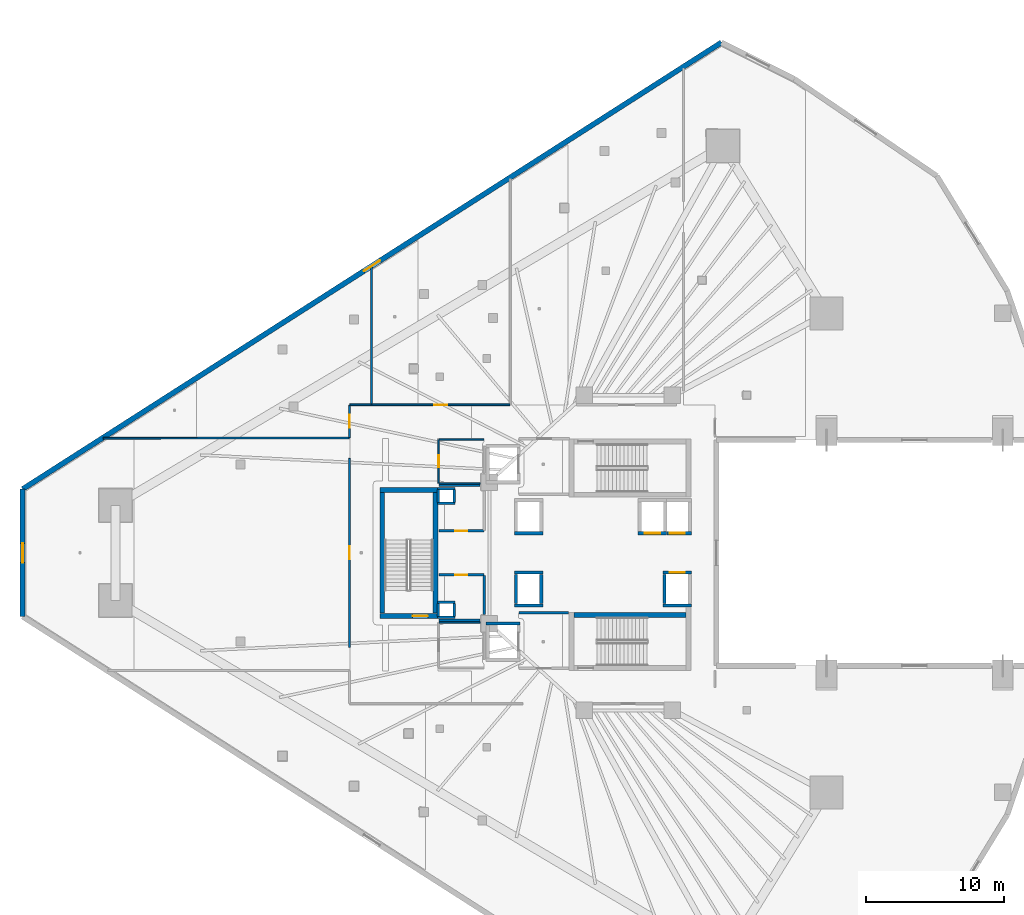
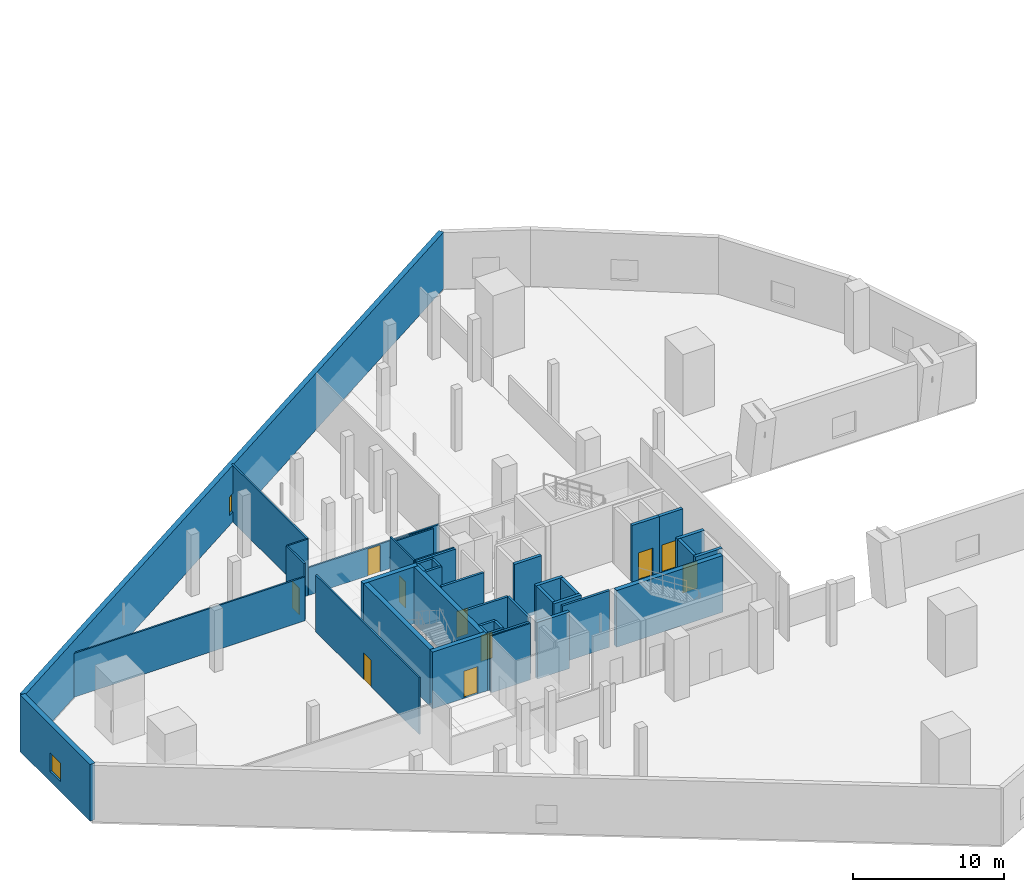
# One storey, part 29 of 43: 42 walls, 10 doors, 2 windows, 12 openings.
"""IFC4 building model written with IfcOpenShell, lengths in metres."""

from ifc_helpers import new_model, si_unit, direction, frame, frame_2d, origin, place, context, subcontext, project, spatial, rectangle, extrude, material, layer, layer_set, type_object, element, fill, save


model = new_model("IFC4")

# Units and contexts
model_context = context("Model", 3, precision=1e-05, world=origin(), true_north=direction((0.0, 1.0)))
body_context = subcontext(model_context, "Body", "Model", "MODEL_VIEW")
ifc_project = project(units=[si_unit("LENGTHUNIT", "METRE"), si_unit("AREAUNIT", "SQUARE_METRE"), si_unit("VOLUMEUNIT", "CUBIC_METRE"), si_unit("PLANEANGLEUNIT", "RADIAN"), si_unit("MASSUNIT", "GRAM", prefix="KILO")], contexts=[model_context])

# Site, building, storey
site_placement = place(None, origin())
site = spatial("IfcSite", under=ifc_project, at=site_placement, CompositionType="ELEMENT")
building_placement = place(site_placement, origin())
building = spatial("IfcBuilding", under=site, at=building_placement, Name="Qorvath Tower", CompositionType="ELEMENT")
storey_placement = place(building_placement, frame((0.0, 0.0, 22.0)))
storey = spatial("IfcBuildingStorey", under=building, at=storey_placement, Name="L04", CompositionType="ELEMENT", Elevation=22.0)

# Walls
ifc_material_1 = material(Name="Gypsum shaftliner on steel studs", Category="steel")
ifc_layer_1 = layer(ifc_material_1, 0.179931640625)
ifc_layer_set_1 = layer_set([ifc_layer_1], Name="FW-LOBBY")
wall_type_1 = type_object("IfcWallType", Name="FW-LOBBY", PredefinedType="PARTITIONING", material=ifc_layer_set_1)
for number, where, z_axis, x_axis, name in (
    (1, (-32.989990234375, 3.594970703125, 0.0), (0.0, 0.0, 1.0), (-1.0, 0.0, 0.0), "MEP Riser Shaft Enclosure Wall N-L04-S"),
    (2, (-34.260009765625, 4.675048828125, 0.0), (0.0, 0.0, 1.0), (1.0, 0.0, 0.0), "MEP Riser Shaft Enclosure Wall N-L04-N"),
):
    element("IfcWall", number, at=place(storey_placement, frame(where, z_axis=z_axis, x_axis=x_axis)), inside=storey, type_object=wall_type_1, Name=name, PredefinedType="PARTITIONING", context=body_context, shape_type="SweptSolid", body=[
        extrude(rectangle(XDim=1.27001953125, YDim=0.179931640625, at=frame_2d((0.635009765625, 0.0))), origin(), (0.0, 0.0, 1.0), 4.580078125),
    ])
for number, where, z_axis, x_axis, name in (
    (3, (-34.205078125, 3.659912109375, 0.0), (0.0, 0.0, 1.0), (0.0, 1.0, 0.0), "MEP Riser Shaft Enclosure Wall N-L04-W"),
    (4, (-33.044921875, 4.610107421875, 0.0), (0.0, 0.0, 1.0), (0.0, -1.0, 0.0), "MEP Riser Shaft Enclosure Wall N-L04-E"),
):
    element("IfcWall", number, at=place(storey_placement, frame(where, z_axis=z_axis, x_axis=x_axis)), inside=storey, type_object=wall_type_1, Name=name, PredefinedType="PARTITIONING", context=body_context, shape_type="SweptSolid", body=[
        extrude(rectangle(XDim=0.9501953125, YDim=0.179931640625, at=frame_2d((0.47509765625, 0.0))), origin(), (0.0, 0.0, 1.0), 4.580078125),
    ])
for number, where, z_axis, x_axis, name in (
    (5, (-32.989990234375, -4.675048828125, 0.0), (0.0, 0.0, 1.0), (-1.0, 0.0, 0.0), "MEP Riser Shaft Enclosure Wall S-L04-S"),
    (6, (-34.260009765625, -3.594970703125, 0.0), (0.0, 0.0, 1.0), (1.0, 0.0, 0.0), "MEP Riser Shaft Enclosure Wall S-L04-N"),
):
    element("IfcWall", number, at=place(storey_placement, frame(where, z_axis=z_axis, x_axis=x_axis)), inside=storey, type_object=wall_type_1, Name=name, PredefinedType="PARTITIONING", context=body_context, shape_type="SweptSolid", body=[
        extrude(rectangle(XDim=1.27001953125, YDim=0.179931640625, at=frame_2d((0.635009765625, 0.0))), origin(), (0.0, 0.0, 1.0), 4.580078125),
    ])
for number, where, z_axis, x_axis, name in (
    (7, (-34.205078125, -4.610107421875, 0.0), (0.0, 0.0, 1.0), (0.0, 1.0, 0.0), "MEP Riser Shaft Enclosure Wall S-L04-W"),
    (8, (-33.044921875, -3.659912109375, 0.0), (0.0, 0.0, 1.0), (0.0, -1.0, 0.0), "MEP Riser Shaft Enclosure Wall S-L04-E"),
):
    element("IfcWall", number, at=place(storey_placement, frame(where, z_axis=z_axis, x_axis=x_axis)), inside=storey, type_object=wall_type_1, Name=name, PredefinedType="PARTITIONING", context=body_context, shape_type="SweptSolid", body=[
        extrude(rectangle(XDim=0.9501953125, YDim=0.179931640625, at=frame_2d((0.47509765625, 0.0))), origin(), (0.0, 0.0, 1.0), 4.580078125),
    ])
wall_1_placement = place(storey_placement, frame((-24.73291015625, -4.35009765625, 0.0), z_axis=(0.0, 0.0, 1.0), x_axis=(-1.0, 0.0, 0.0)))
element("IfcWall", 9, at=wall_1_placement, inside=storey, type_object=wall_type_1, Name="Interior Partition IW-T1-L04-004", PredefinedType="PARTITIONING", context=body_context, shape_type="SweptSolid", body=[
    extrude(rectangle(XDim=3.6220703125, YDim=0.179931640625, at=frame_2d((1.81103515625, 0.0))), origin(), (0.0, 0.0, 1.0), 4.580078125),
])

# Wall, opening, door
wall_2_placement = place(storey_placement, frame((-34.15478515625, 1.60009765625, 0.0), z_axis=(0.0, 0.0, 1.0), x_axis=(1.0, 0.0, 0.0)))
wall_2 = element("IfcWall", 10, at=wall_2_placement, inside=storey, type_object=wall_type_1, Name="Interior Partition IW-T1-L04-013", PredefinedType="PARTITIONING", context=body_context, shape_type="SweptSolid", body=[
    extrude(rectangle(XDim=3.25, YDim=0.179931640625, at=frame_2d((1.625, 0.0))), origin(), (0.0, 0.0, 1.0), 4.580078125),
])
opening_1_placement = place(wall_2_placement, frame((1.18505859375, 0.0, 0.0)))
opening_1 = element("IfcOpeningElement", 11, at=opening_1_placement, cuts=wall_2, Name="Opening D-T1-L04-03", PredefinedType="OPENING", context=body_context, shape_type="SweptSolid", body=[
    extrude(rectangle(XDim=0.8798828125, YDim=2.10009765625, at=frame_2d((0.43994140625, 1.050048828125))), frame((0.0, 0.10009765625, 0.0), z_axis=(0.0, -1.0, 0.0), x_axis=(1.0, 0.0, 0.0)), (0.0, 0.0, 1.0), 0.199951171875),
])
ifc_material_2 = material(Name="Painted galvanised hollow metal", Category="steel")
door_type_1 = type_object("IfcDoorType", Name="FD-60N", OperationType="NOTDEFINED", PredefinedType="DOOR", material=ifc_material_2)
door_1_placement = place(opening_1_placement, origin())
door_1 = element("IfcDoor", 12, at=door_1_placement, inside=storey, type_object=door_type_1, Name="Core cleaner and custodial room L04 Door D-T1-L04-03", OperationType="SINGLE_SWING_LEFT", OverallHeight=2.10009765625, OverallWidth=0.8798828125, PredefinedType="DOOR", context=body_context, shape_type="SweptSolid", body=[
    extrude(rectangle(XDim=0.8798828125, YDim=2.10009765625, at=frame_2d((0.43994140625, 1.050048828125))), frame((0.0, 0.02490234375, 0.0), z_axis=(0.0, -1.0, 0.0), x_axis=(1.0, 0.0, 0.0)), (0.0, 0.0, 1.0), 0.050048828125),
])
fill(opening_1, door_1)

# Walls
for number, where, z_axis, x_axis, name in (
    (13, (-31.1650390625, 4.89990234375, 0.0), (0.0, 0.0, 1.0), (-1.0, 0.0, 0.0), "Interior Partition IW-T1-L04-015"),
    (14, (-34.15478515625, -4.89990234375, 0.0), (0.0, 0.0, 1.0), (1.0, 0.0, 0.0), "Interior Partition IW-T1-L04-016"),
):
    element("IfcWall", number, at=place(storey_placement, frame(where, z_axis=z_axis, x_axis=x_axis)), inside=storey, type_object=wall_type_1, Name=name, PredefinedType="PARTITIONING", context=body_context, shape_type="SweptSolid", body=[
        extrude(rectangle(XDim=2.98974609375, YDim=0.179931640625, at=frame_2d((1.494873046875, 0.0))), origin(), (0.0, 0.0, 1.0), 4.580078125),
    ])
wall_3_placement = place(storey_placement, frame((-30.8798828125, -4.485107421875, 0.0), z_axis=(0.0, 0.0, 1.0), x_axis=(0.0, 1.0, 0.0)))
element("IfcWall", 15, at=wall_3_placement, inside=storey, type_object=wall_type_1, Name="Interior Partition IW-T1-L04-017", PredefinedType="PARTITIONING", context=body_context, shape_type="SweptSolid", body=[
    extrude(rectangle(XDim=2.860107421875, YDim=0.179931640625, at=frame_2d((1.43017578125, 0.0))), origin(), (0.0, 0.0, 1.0), 4.580078125),
])

# Wall, opening, door
wall_4_placement = place(storey_placement, frame((-30.90478515625, -1.60009765625, 0.0), z_axis=(0.0, 0.0, 1.0), x_axis=(-1.0, 0.0, 0.0)))
wall_4 = element("IfcWall", 16, at=wall_4_placement, inside=storey, type_object=wall_type_1, Name="Interior Partition IW-T1-L04-018", PredefinedType="PARTITIONING", context=body_context, shape_type="SweptSolid", body=[
    extrude(rectangle(XDim=3.25, YDim=0.179931640625, at=frame_2d((1.625, 0.0))), origin(), (0.0, 0.0, 1.0), 4.580078125),
])
opening_2_placement = place(wall_4_placement, frame((1.18505859375, 0.0, 0.0)))
opening_2 = element("IfcOpeningElement", 17, at=opening_2_placement, cuts=wall_4, Name="Opening D-T1-L04-04", PredefinedType="OPENING", context=body_context, shape_type="SweptSolid", body=[
    extrude(rectangle(XDim=0.8798828125, YDim=2.10009765625, at=frame_2d((0.43994140625, 1.050048828125))), frame((0.0, 0.10009765625, 0.0), z_axis=(0.0, -1.0, 0.0), x_axis=(1.0, 0.0, 0.0)), (0.0, 0.0, 1.0), 0.199951171875),
])
door_2_placement = place(opening_2_placement, origin())
door_2 = element("IfcDoor", 18, at=door_2_placement, inside=storey, type_object=door_type_1, Name="Core electrical room L04 Door D-T1-L04-04", OperationType="SINGLE_SWING_RIGHT", OverallHeight=2.10009765625, OverallWidth=0.8798828125, PredefinedType="DOOR", context=body_context, shape_type="SweptSolid", body=[
    extrude(rectangle(XDim=0.8798828125, YDim=2.10009765625, at=frame_2d((0.43994140625, 1.050048828125))), frame((0.0, 0.02490234375, 0.0), z_axis=(0.0, -1.0, 0.0), x_axis=(1.0, 0.0, 0.0)), (0.0, 0.0, 1.0), 0.050048828125),
])
fill(opening_2, door_2)

ifc_material_3 = material(Name="Gypsum board on metal studs with mineral wool", Category="gypsum")
ifc_layer_2 = layer(ifc_material_3, 0.125)
ifc_layer_set_2 = layer_set([ifc_layer_2], Name="IW-PART-125")
wall_type_2 = type_object("IfcWallType", Name="IW-PART-125", PredefinedType="PARTITIONING", material=ifc_layer_set_2)
wall_5_placement = place(storey_placement, frame((-40.657958984375, 8.375, 0.0), z_axis=(0.0, 0.0, 1.0), x_axis=(0.0, 1.0, 0.0)))
wall_5 = element("IfcWall", 19, at=wall_5_placement, inside=storey, type_object=wall_type_2, Name="Interior Partition IW-T1-L04-019", PredefinedType="PARTITIONING", context=body_context, shape_type="SweptSolid", body=[
    extrude(rectangle(XDim=2.358154296875, YDim=0.125, at=frame_2d((1.17919921875, 0.0))), origin(), (0.0, 0.0, 1.0), 4.580078125),
])
opening_3_placement = place(wall_5_placement, frame((0.7041015625, 0.0, 0.0)))
opening_3 = element("IfcOpeningElement", 20, at=opening_3_placement, cuts=wall_5, Name="Opening D-T1-L04-05", PredefinedType="OPENING", context=body_context, shape_type="SweptSolid", body=[
    extrude(rectangle(XDim=0.949951171875, YDim=2.14990234375, at=frame_2d((0.47509765625, 1.074951171875))), frame((0.0, 0.072509765625, 0.0), z_axis=(0.0, -1.0, 0.0), x_axis=(1.0, 0.0, 0.0)), (0.0, 0.0, 1.0), 0.14501953125),
])
ifc_material_4 = material(Name="Solid-core American white oak veneer", Category="wood")
door_type_2 = type_object("IfcDoorType", Name="D-01", OperationType="NOTDEFINED", PredefinedType="DOOR", material=ifc_material_4)
door_3_placement = place(opening_3_placement, origin())
door_3 = element("IfcDoor", 21, at=door_3_placement, inside=storey, type_object=door_type_2, Name="L04-01 Focus Collaboration Pod Door D-T1-L04-05", OperationType="SINGLE_SWING_LEFT", OverallHeight=2.14990234375, OverallWidth=0.949951171875, PredefinedType="DOOR", context=body_context, shape_type="SweptSolid", body=[
    extrude(rectangle(XDim=0.949951171875, YDim=2.14990234375, at=frame_2d((0.47509765625, 1.074951171875))), frame((0.0, 0.02490234375, 0.0), z_axis=(0.0, -1.0, 0.0), x_axis=(1.0, 0.0, 0.0)), (0.0, 0.0, 1.0), 0.050048828125),
])
fill(opening_3, door_3)

# Walls
wall_6_placement = place(storey_placement, frame((-40.633056640625, 10.758056640625, 0.0), z_axis=(0.0, 0.0, 1.0), x_axis=(1.0, 0.0, 0.0)))
element("IfcWall", 22, at=wall_6_placement, inside=storey, type_object=wall_type_2, Name="Interior Partition IW-T1-L04-020", PredefinedType="PARTITIONING", context=body_context, shape_type="SweptSolid", body=[
    extrude(rectangle(XDim=1.5390625, YDim=0.125, at=frame_2d((0.76953125, 0.0))), origin(), (0.0, 0.0, 1.0), 4.580078125),
])
wall_7_placement = place(storey_placement, frame((-39.069091796875, 10.783203125, 0.0), z_axis=(0.0, 0.0, 1.0), x_axis=(0.0, 1.0, 0.0)))
element("IfcWall", 23, at=wall_7_placement, inside=storey, type_object=wall_type_2, Name="Interior Partition IW-T1-L04-021", PredefinedType="PARTITIONING", context=body_context, shape_type="SweptSolid", body=[
    extrude(rectangle(XDim=9.9755859375, YDim=0.125, at=frame_2d((4.98779296875, 0.0))), origin(), (0.0, 0.0, 1.0), 4.580078125),
])
wall_8_placement = place(storey_placement, frame((-58.55224609375, 8.33544921875, 0.0), z_axis=(0.0, 0.0, 1.0), x_axis=(0.999999663996, 0.000819761447, 0.0)))
element("IfcWall", 24, at=wall_8_placement, inside=storey, type_object=wall_type_2, Name="Interior Partition IW-T1-L04-022", PredefinedType="PARTITIONING", context=body_context, shape_type="SweptSolid", body=[
    extrude(rectangle(XDim=17.869140625, YDim=0.125, at=frame_2d((8.9345703125, 0.0))), origin(), (0.0, 0.0, 1.0), 3.550048828125),
])

# Wall, opening, door
wall_9_placement = place(storey_placement, frame((-39.035888671875, 10.758056640625, 0.0), z_axis=(0.0, 0.0, 1.0), x_axis=(1.0, 0.0, 0.0)))
wall_9 = element("IfcWall", 25, at=wall_9_placement, inside=storey, type_object=wall_type_2, Name="Interior Partition IW-T1-L04-023", PredefinedType="PARTITIONING", context=body_context, shape_type="SweptSolid", body=[
    extrude(rectangle(XDim=10.029541015625, YDim=0.125, at=frame_2d((5.0146484375, 0.0))), origin(), (0.0, 0.0, 1.0), 2.25),
])
opening_4_placement = place(wall_9_placement, frame((4.539794921875, 0.0, 0.0)))
opening_4 = element("IfcOpeningElement", 26, at=opening_4_placement, cuts=wall_9, Name="Opening D-T1-L04-06", PredefinedType="OPENING", context=body_context, shape_type="SweptSolid", body=[
    extrude(rectangle(XDim=0.949951171875, YDim=2.14990234375, at=frame_2d((0.47509765625, 1.074951171875))), frame((0.0, 0.072509765625, 0.0), z_axis=(0.0, -1.0, 0.0), x_axis=(1.0, 0.0, 0.0)), (0.0, 0.0, 1.0), 0.14501953125),
])
door_4_placement = place(opening_4_placement, origin())
door_4 = element("IfcDoor", 27, at=door_4_placement, inside=storey, type_object=door_type_2, Name="L04-02 Staff Refreshment Pantry and Coffee Bar Door D-T1-L04-06", OperationType="SINGLE_SWING_RIGHT", OverallHeight=2.14990234375, OverallWidth=0.949951171875, PredefinedType="DOOR", context=body_context, shape_type="SweptSolid", body=[
    extrude(rectangle(XDim=0.949951171875, YDim=2.14990234375, at=frame_2d((0.47509765625, 1.074951171875))), frame((0.0, 0.02490234375, 0.0), z_axis=(0.0, -1.0, 0.0), x_axis=(1.0, 0.0, 0.0)), (0.0, 0.0, 1.0), 0.050048828125),
])
fill(opening_4, door_4)

wall_10_placement = place(storey_placement, frame((-40.657958984375, -6.869140625, 0.0), z_axis=(0.0, 0.0, 1.0), x_axis=(0.0, 1.0, 0.0)))
wall_10 = element("IfcWall", 28, at=wall_10_placement, inside=storey, type_object=wall_type_2, Name="Interior Partition IW-T1-L04-034", PredefinedType="PARTITIONING", context=body_context, shape_type="SweptSolid", body=[
    extrude(rectangle(XDim=13.73828125, YDim=0.125, at=frame_2d((6.869140625, 0.0))), origin(), (0.0, 0.0, 1.0), 4.580078125),
])
opening_5_placement = place(wall_10_placement, frame((6.39404296875, 0.0, 0.0)))
opening_5 = element("IfcOpeningElement", 29, at=opening_5_placement, cuts=wall_10, Name="Opening D-T1-L04-12", PredefinedType="OPENING", context=body_context, shape_type="SweptSolid", body=[
    extrude(rectangle(XDim=0.949951171875, YDim=2.14990234375, at=frame_2d((0.47509765625, 1.074951171875))), frame((0.0, 0.072509765625, 0.0), z_axis=(0.0, -1.0, 0.0), x_axis=(1.0, 0.0, 0.0)), (0.0, 0.0, 1.0), 0.14501953125),
])
door_5_placement = place(opening_5_placement, origin())
door_5 = element("IfcDoor", 30, at=door_5_placement, inside=storey, type_object=door_type_2, Name="L04-06 Executive Partner Office Door D-T1-L04-12", OperationType="SINGLE_SWING_RIGHT", OverallHeight=2.14990234375, OverallWidth=0.949951171875, PredefinedType="DOOR", context=body_context, shape_type="SweptSolid", body=[
    extrude(rectangle(XDim=0.949951171875, YDim=2.14990234375, at=frame_2d((0.47509765625, 1.074951171875))), frame((0.0, 0.02490234375, 0.0), z_axis=(0.0, -1.0, 0.0), x_axis=(1.0, 0.0, 0.0)), (0.0, 0.0, 1.0), 0.050048828125),
])
fill(opening_5, door_5)

ifc_material_5 = material(Name="Moisture-resistant cement board on metal studs", Category="gypsum")
ifc_layer_3 = layer(ifc_material_5, 0.110107421875)
ifc_layer_set_3 = layer_set([ifc_layer_3], Name="IW-WC-110")
wall_type_3 = type_object("IfcWallType", Name="IW-WC-110", PredefinedType="PARTITIONING", material=ifc_layer_set_3)
wall_11_placement = place(storey_placement, frame((-34.179931640625, 8.22509765625, 0.0), z_axis=(0.0, 0.0, 1.0), x_axis=(0.0, -1.0, 0.0)))
wall_11 = element("IfcWall", 31, at=wall_11_placement, inside=storey, type_object=wall_type_3, Name="Interior Partition IW-T1-L04-005", PredefinedType="PARTITIONING", context=body_context, shape_type="SweptSolid", body=[
    extrude(rectangle(XDim=3.150146484375, YDim=0.110107421875, at=frame_2d((1.5751953125, 0.0))), origin(), (0.0, 0.0, 1.0), 4.580078125),
])
opening_6_placement = place(wall_11_placement, frame((1.135009765625, 0.0, 0.0)))
opening_6 = element("IfcOpeningElement", 32, at=opening_6_placement, cuts=wall_11, Name="Opening D-T1-L04-01", PredefinedType="OPENING", context=body_context, shape_type="SweptSolid", body=[
    extrude(rectangle(XDim=0.8798828125, YDim=2.10009765625, at=frame_2d((0.43994140625, 1.050048828125))), frame((0.0, 0.06494140625, 0.0), z_axis=(0.0, -1.0, 0.0), x_axis=(1.0, 0.0, 0.0)), (0.0, 0.0, 1.0), 0.130126953125),
])
ifc_material_6 = material(Name="Solid-core oak with acoustic drop seal", Category="wood")
door_type_3 = type_object("IfcDoorType", Name="D-02", OperationType="NOTDEFINED", PredefinedType="DOOR", material=ifc_material_6)
door_6_placement = place(opening_6_placement, origin())
door_6 = element("IfcDoor", 33, at=door_6_placement, inside=storey, type_object=door_type_3, Name="WC All-Gender North L04 Door D-T1-L04-01", OperationType="SINGLE_SWING_LEFT", OverallHeight=2.10009765625, OverallWidth=0.8798828125, PredefinedType="DOOR", context=body_context, shape_type="SweptSolid", body=[
    extrude(rectangle(XDim=0.8798828125, YDim=2.10009765625, at=frame_2d((0.43994140625, 1.050048828125))), frame((0.0, 0.02490234375, 0.0), z_axis=(0.0, -1.0, 0.0), x_axis=(1.0, 0.0, 0.0)), (0.0, 0.0, 1.0), 0.050048828125),
])
fill(opening_6, door_6)

# Walls
wall_12_placement = place(storey_placement, frame((-34.15478515625, 5.050048828125, 0.0), z_axis=(0.0, 0.0, 1.0), x_axis=(1.0, 0.0, 0.0)))
element("IfcWall", 34, at=wall_12_placement, inside=storey, type_object=wall_type_3, Name="Interior Partition IW-T1-L04-006", PredefinedType="PARTITIONING", context=body_context, shape_type="SweptSolid", body=[
    extrude(rectangle(XDim=2.98974609375, YDim=0.110107421875, at=frame_2d((1.494873046875, 0.0))), origin(), (0.0, 0.0, 1.0), 4.580078125),
])
wall_13_placement = place(storey_placement, frame((-30.90478515625, 8.25, 0.0), z_axis=(0.0, 0.0, 1.0), x_axis=(-1.0, 0.0, 0.0)))
element("IfcWall", 35, at=wall_13_placement, inside=storey, type_object=wall_type_3, Name="Interior Partition IW-T1-L04-008", PredefinedType="PARTITIONING", context=body_context, shape_type="SweptSolid", body=[
    extrude(rectangle(XDim=3.25, YDim=0.110107421875, at=frame_2d((1.625, 0.0))), origin(), (0.0, 0.0, 1.0), 4.093017578125),
])
wall_14_placement = place(storey_placement, frame((-31.1650390625, -5.050048828125, 0.0), z_axis=(0.0, 0.0, 1.0), x_axis=(-1.0, 0.0, 0.0)))
element("IfcWall", 36, at=wall_14_placement, inside=storey, type_object=wall_type_3, Name="Interior Partition IW-T1-L04-011", PredefinedType="PARTITIONING", context=body_context, shape_type="SweptSolid", body=[
    extrude(rectangle(XDim=2.98974609375, YDim=0.110107421875, at=frame_2d((1.494873046875, 0.0))), origin(), (0.0, 0.0, 1.0), 4.580078125),
])
ifc_material_7 = material(Name="Concrete C60/75", Category="concrete")
ifc_layer_4 = layer(ifc_material_7, 0.260009765625)
ifc_layer_set_4 = layer_set([ifc_layer_4], Name="SW-SHAFT")
wall_type_4 = type_object("IfcWallType", Name="SW-SHAFT", PredefinedType="SHEAR", material=ifc_layer_set_4)
wall_15_placement = place(storey_placement, frame((-30.739990234375, -5.1298828125, 0.0), z_axis=(0.0, 0.0, 1.0), x_axis=(1.0, 0.0, 0.0)))
element("IfcWall", 37, at=wall_15_placement, inside=storey, type_object=wall_type_4, Name="Hoistway Wall FSAE-2 L04 N", PredefinedType="SHEAR", context=body_context, shape_type="SweptSolid", body=[
    extrude(rectangle(XDim=2.47998046875, YDim=0.239990234375, at=frame_2d((1.239990234375, 0.0))), origin(), (0.0, 0.0, 1.0), 4.580078125),
])
wall_16_placement = place(storey_placement, frame((-26.610107421875, 1.429931640625, 0.0), z_axis=(0.0, 0.0, 1.0), x_axis=(-1.0, 0.0, 0.0)))
element("IfcWall", 38, at=wall_16_placement, inside=storey, type_object=wall_type_4, Name="Hoistway Wall PS-1 L04 S", PredefinedType="SHEAR", context=body_context, shape_type="SweptSolid", body=[
    extrude(rectangle(XDim=2.079833984375, YDim=0.239990234375, at=frame_2d((1.0400390625, 0.0))), origin(), (0.0, 0.0, 1.0), 4.580078125),
])

# Wall, opening, door
wall_17_placement = place(storey_placement, frame((-17.610107421875, 1.429931640625, 0.0), z_axis=(0.0, 0.0, 1.0), x_axis=(-1.0, 0.0, 0.0)))
wall_17 = element("IfcWall", 39, at=wall_17_placement, inside=storey, type_object=wall_type_4, Name="Hoistway Wall PL-1 L04 S", PredefinedType="SHEAR", context=body_context, shape_type="SweptSolid", body=[
    extrude(rectangle(XDim=2.079833984375, YDim=0.239990234375, at=frame_2d((1.0400390625, 0.0))), origin(), (0.0, 0.0, 1.0), 4.580078125),
])
opening_7_placement = place(wall_17_placement, frame((0.48974609375, 0.0, 0.0)))
opening_7 = element("IfcOpeningElement", 40, at=opening_7_placement, cuts=wall_17, Name="Opening LD-PL-1-L04", PredefinedType="OPENING", context=body_context, shape_type="SweptSolid", body=[
    extrude(rectangle(XDim=1.10009765625, YDim=2.199951171875, at=frame_2d((0.550048828125, 1.10009765625))), frame((0.0, 0.1298828125, 0.0), z_axis=(0.0, -1.0, 0.0), x_axis=(1.0, 0.0, 0.0)), (0.0, 0.0, 1.0), 0.260009765625),
])
ifc_material_8 = material(Name="Brushed stainless steel AISI 316", Category="steel")
door_type_4 = type_object("IfcDoorType", Name="LD-01", OperationType="NOTDEFINED", PredefinedType="DOOR", material=ifc_material_8)
door_7_placement = place(opening_7_placement, origin())
door_7 = element("IfcDoor", 41, at=door_7_placement, inside=storey, type_object=door_type_4, Name="Elevator Landing Sliding Door LD-PL-1-L04", OperationType="DOUBLE_DOOR_SLIDING", OverallHeight=2.199951171875, OverallWidth=1.10009765625, PredefinedType="DOOR", context=body_context, shape_type="SweptSolid", body=[
    extrude(rectangle(XDim=1.10009765625, YDim=2.199951171875, at=frame_2d((0.550048828125, 1.10009765625))), frame((0.0, 0.02490234375, 0.0), z_axis=(0.0, -1.0, 0.0), x_axis=(1.0, 0.0, 0.0)), (0.0, 0.0, 1.0), 0.050048828125),
])
fill(opening_7, door_7)

wall_18_placement = place(storey_placement, frame((-15.81005859375, 1.429931640625, 0.0), z_axis=(0.0, 0.0, 1.0), x_axis=(-1.0, 0.0, 0.0)))
wall_18 = element("IfcWall", 42, at=wall_18_placement, inside=storey, type_object=wall_type_4, Name="Hoistway Wall PL-3 L04 S", PredefinedType="SHEAR", context=body_context, shape_type="SweptSolid", body=[
    extrude(rectangle(XDim=1.800048828125, YDim=0.239990234375, at=frame_2d((0.89990234375, 0.0))), origin(), (0.0, 0.0, 1.0), 4.580078125),
])
opening_8_placement = place(wall_18_placement, frame((0.489990234375, 0.0, 0.0)))
opening_8 = element("IfcOpeningElement", 43, at=opening_8_placement, cuts=wall_18, Name="Opening LD-PL-3-L04", PredefinedType="OPENING", context=body_context, shape_type="SweptSolid", body=[
    extrude(rectangle(XDim=1.10009765625, YDim=2.199951171875, at=frame_2d((0.550048828125, 1.10009765625))), frame((0.0, 0.1298828125, 0.0), z_axis=(0.0, -1.0, 0.0), x_axis=(1.0, 0.0, 0.0)), (0.0, 0.0, 1.0), 0.260009765625),
])
door_8_placement = place(opening_8_placement, origin())
door_8 = element("IfcDoor", 44, at=door_8_placement, inside=storey, type_object=door_type_4, Name="Elevator Landing Sliding Door LD-PL-3-L04", OperationType="DOUBLE_DOOR_SLIDING", OverallHeight=2.199951171875, OverallWidth=1.10009765625, PredefinedType="DOOR", context=body_context, shape_type="SweptSolid", body=[
    extrude(rectangle(XDim=1.10009765625, YDim=2.199951171875, at=frame_2d((0.550048828125, 1.10009765625))), frame((0.0, 0.02490234375, 0.0), z_axis=(0.0, -1.0, 0.0), x_axis=(1.0, 0.0, 0.0)), (0.0, 0.0, 1.0), 0.050048828125),
])
fill(opening_8, door_8)

# Walls
for number, where, z_axis, x_axis, name in (
    (45, (-26.610107421875, -3.820068359375, 0.0), (0.0, 0.0, 1.0), (-1.0, 0.0, 0.0), "Hoistway Wall PS-2 L04 S"),
    (46, (-28.68994140625, -1.429931640625, 0.0), (0.0, 0.0, 1.0), (1.0, 0.0, 0.0), "Hoistway Wall PS-2 L04 N"),
):
    element("IfcWall", number, at=place(storey_placement, frame(where, z_axis=z_axis, x_axis=x_axis)), inside=storey, type_object=wall_type_4, Name=name, PredefinedType="SHEAR", context=body_context, shape_type="SweptSolid", body=[
        extrude(rectangle(XDim=2.079833984375, YDim=0.239990234375, at=frame_2d((1.0400390625, 0.0))), origin(), (0.0, 0.0, 1.0), 4.580078125),
    ])
for number, where, z_axis, x_axis, name in (
    (47, (-28.570068359375, -3.68798828125, 0.0), (0.0, 0.0, 1.0), (0.0, 1.0, 0.0), "Hoistway Wall PS-2 L04 W"),
    (48, (-26.72998046875, -1.56201171875, 0.0), (0.0, 0.0, 1.0), (0.0, -1.0, 0.0), "Hoistway Wall PS-2 L04 E"),
):
    element("IfcWall", number, at=place(storey_placement, frame(where, z_axis=z_axis, x_axis=x_axis)), inside=storey, type_object=wall_type_4, Name=name, PredefinedType="SHEAR", context=body_context, shape_type="SweptSolid", body=[
        extrude(rectangle(XDim=2.1259765625, YDim=0.239990234375, at=frame_2d((1.06298828125, 0.0))), origin(), (0.0, 0.0, 1.0), 4.580078125),
    ])
wall_19_placement = place(storey_placement, frame((-15.81005859375, -3.820068359375, 0.0), z_axis=(0.0, 0.0, 1.0), x_axis=(-1.0, 0.0, 0.0)))
element("IfcWall", 49, at=wall_19_placement, inside=storey, type_object=wall_type_4, Name="Hoistway Wall PL-2 L04 S", PredefinedType="SHEAR", context=body_context, shape_type="SweptSolid", body=[
    extrude(rectangle(XDim=2.079833984375, YDim=0.239990234375, at=frame_2d((1.0400390625, 0.0))), origin(), (0.0, 0.0, 1.0), 4.580078125),
])

# Wall, opening, door
wall_20_placement = place(storey_placement, frame((-17.889892578125, -1.429931640625, 0.0), z_axis=(0.0, 0.0, 1.0), x_axis=(1.0, 0.0, 0.0)))
wall_20 = element("IfcWall", 50, at=wall_20_placement, inside=storey, type_object=wall_type_4, Name="Hoistway Wall PL-2 L04 N", PredefinedType="SHEAR", context=body_context, shape_type="SweptSolid", body=[
    extrude(rectangle(XDim=2.079833984375, YDim=0.239990234375, at=frame_2d((1.0400390625, 0.0))), origin(), (0.0, 0.0, 1.0), 4.580078125),
])
opening_9_placement = place(wall_20_placement, frame((0.48974609375, 0.0, 0.0)))
opening_9 = element("IfcOpeningElement", 51, at=opening_9_placement, cuts=wall_20, Name="Opening LD-PL-2-L04", PredefinedType="OPENING", context=body_context, shape_type="SweptSolid", body=[
    extrude(rectangle(XDim=1.10009765625, YDim=2.199951171875, at=frame_2d((0.550048828125, 1.10009765625))), frame((0.0, 0.1298828125, 0.0), z_axis=(0.0, -1.0, 0.0), x_axis=(1.0, 0.0, 0.0)), (0.0, 0.0, 1.0), 0.260009765625),
])
door_9_placement = place(opening_9_placement, origin())
door_9 = element("IfcDoor", 52, at=door_9_placement, inside=storey, type_object=door_type_4, Name="Elevator Landing Sliding Door LD-PL-2-L04", OperationType="DOUBLE_DOOR_SLIDING", OverallHeight=2.199951171875, OverallWidth=1.10009765625, PredefinedType="DOOR", context=body_context, shape_type="SweptSolid", body=[
    extrude(rectangle(XDim=1.10009765625, YDim=2.199951171875, at=frame_2d((0.550048828125, 1.10009765625))), frame((0.0, 0.02490234375, 0.0), z_axis=(0.0, -1.0, 0.0), x_axis=(1.0, 0.0, 0.0)), (0.0, 0.0, 1.0), 0.050048828125),
])
fill(opening_9, door_9)

# Walls
wall_21_placement = place(storey_placement, frame((-17.77001953125, -3.68798828125, 0.0), z_axis=(0.0, 0.0, 1.0), x_axis=(0.0, 1.0, 0.0)))
element("IfcWall", 53, at=wall_21_placement, inside=storey, type_object=wall_type_4, Name="Hoistway Wall PL-2 L04 W", PredefinedType="SHEAR", context=body_context, shape_type="SweptSolid", body=[
    extrude(rectangle(XDim=2.1259765625, YDim=0.239990234375, at=frame_2d((1.06298828125, 0.0))), origin(), (0.0, 0.0, 1.0), 4.580078125),
])
ifc_material_9 = material(Name="Concrete C60/75", Category="concrete")
ifc_layer_5 = layer(ifc_material_9, 0.35009765625)
ifc_layer_set_5 = layer_set([ifc_layer_5], Name="SW-STAIR")
wall_type_5 = type_object("IfcWallType", Name="SW-STAIR", PredefinedType="SHEAR", material=ifc_layer_set_5)
wall_22_placement = place(storey_placement, frame((-16.215087890625, -4.514892578125, 0.0), z_axis=(0.0, 0.0, 1.0), x_axis=(-1.0, 0.0, 0.0)))
element("IfcWall", 54, at=wall_22_placement, inside=storey, type_object=wall_type_5, Name="Stair TS2 Shear Wall L04 RIGHT", PredefinedType="SHEAR", context=body_context, shape_type="SweptSolid", body=[
    extrude(rectangle(XDim=8.119873046875, YDim=0.35009765625, at=frame_2d((4.06005859375, 0.0))), origin(), (0.0, 0.0, 1.0), 4.580078125),
])

# Wall, opening, door
wall_23_placement = place(storey_placement, frame((-38.4599609375, -4.574951171875, 0.0), z_axis=(0.0, 0.0, 1.0), x_axis=(1.0, 0.0, 0.0)))
wall_23 = element("IfcWall", 55, at=wall_23_placement, inside=storey, type_object=wall_type_5, Name="Stair TS3 Shear Wall L04 NEAR", PredefinedType="SHEAR", context=body_context, shape_type="SweptSolid", body=[
    extrude(rectangle(XDim=4.2099609375, YDim=0.35009765625, at=frame_2d((2.10498046875, 0.0))), origin(), (0.0, 0.0, 1.0), 4.580078125),
])
opening_10_placement = place(wall_23_placement, frame((2.389892578125, 0.0, 0.0)))
opening_10 = element("IfcOpeningElement", 56, at=opening_10_placement, cuts=wall_23, Name="Opening D-TS3-L04", PredefinedType="OPENING", context=body_context, shape_type="SweptSolid", body=[
    extrude(rectangle(XDim=1.10009765625, YDim=2.199951171875, at=frame_2d((0.550048828125, 1.10009765625))), frame((0.0, 0.18505859375, 0.0), z_axis=(0.0, -1.0, 0.0), x_axis=(1.0, 0.0, 0.0)), (0.0, 0.0, 1.0), 0.3701171875),
])
ifc_material_10 = material(Name="Painted galvanised hollow metal", Category="steel")
door_type_5 = type_object("IfcDoorType", Name="FD-90", OperationType="NOTDEFINED", PredefinedType="DOOR", material=ifc_material_10)
door_10_placement = place(opening_10_placement, origin())
door_10 = element("IfcDoor", 57, at=door_10_placement, inside=storey, type_object=door_type_5, Name="Stair TS3 Fire Door L04", OperationType="SINGLE_SWING_LEFT", OverallHeight=2.199951171875, OverallWidth=1.10009765625, PredefinedType="DOOR", context=body_context, shape_type="SweptSolid", body=[
    extrude(rectangle(XDim=1.10009765625, YDim=2.199951171875, at=frame_2d((0.550048828125, 1.10009765625))), frame((0.0, 0.02490234375, 0.0), z_axis=(0.0, -1.0, 0.0), x_axis=(1.0, 0.0, 0.0)), (0.0, 0.0, 1.0), 0.050048828125),
])
fill(opening_10, door_10)

# Walls
wall_24_placement = place(storey_placement, frame((-34.25, 4.574951171875, 0.0), z_axis=(0.0, 0.0, 1.0), x_axis=(-1.0, 0.0, 0.0)))
element("IfcWall", 58, at=wall_24_placement, inside=storey, type_object=wall_type_5, Name="Stair TS3 Shear Wall L04 FAR", PredefinedType="SHEAR", context=body_context, shape_type="SweptSolid", body=[
    extrude(rectangle(XDim=4.2099609375, YDim=0.35009765625, at=frame_2d((2.10498046875, 0.0))), origin(), (0.0, 0.0, 1.0), 4.580078125),
])
for number, where, z_axis, x_axis, name in (
    (59, (-34.425048828125, -4.385009765625, 0.0), (0.0, 0.0, 1.0), (0.0, 1.0, 0.0), "Stair TS3 Shear Wall L04 LEFT"),
    (60, (-38.284912109375, 4.385009765625, 0.0), (0.0, 0.0, 1.0), (0.0, -1.0, 0.0), "Stair TS3 Shear Wall L04 RIGHT"),
):
    element("IfcWall", number, at=place(storey_placement, frame(where, z_axis=z_axis, x_axis=x_axis)), inside=storey, type_object=wall_type_5, Name=name, PredefinedType="SHEAR", context=body_context, shape_type="SweptSolid", body=[
        extrude(rectangle(XDim=8.77001953125, YDim=0.35009765625, at=frame_2d((4.385009765625, 0.0))), origin(), (0.0, 0.0, 1.0), 4.580078125),
    ])

# Wall, opening, window
ifc_material_11 = material(Name="Precast concrete C50/60", Category="concrete")
ifc_layer_6 = layer(ifc_material_11, 0.3798828125)
ifc_layer_set_6 = layer_set([ifc_layer_6], Name="WL-EW-POD-380")
wall_type_6 = type_object("IfcWallType", Name="WL-EW-POD-380", PredefinedType="SOLIDWALL", material=ifc_layer_set_6)
wall_25_placement = place(storey_placement, frame((-64.419189453125, 4.63671875, 0.0), z_axis=(0.0, 0.0, 1.0), x_axis=(0.842602364841, 0.538536214905, 0.0)))
wall_25 = element("IfcWall", 61, at=wall_25_placement, inside=storey, type_object=wall_type_6, Name="Tower Podium Precast Facade Wall L04-9.1", PredefinedType="SOLIDWALL", context=body_context, shape_type="SweptSolid", body=[
    extrude(rectangle(XDim=60.270263671875, YDim=0.3798828125, at=frame_2d((30.13525390625, 0.0))), origin(), (0.0, 0.0, 1.0), 4.580078125),
])
opening_11_placement = place(wall_25_placement, frame((29.43505859375, 0.0, 0.800048828125)))
opening_11 = element("IfcOpeningElement", 62, at=opening_11_placement, cuts=wall_25, Name="Opening WN-L04-050", PredefinedType="OPENING", context=body_context, shape_type="SweptSolid", body=[
    extrude(rectangle(XDim=1.39990234375, YDim=1.5, at=frame_2d((0.699951171875, 0.75))), frame((0.0, 0.199951171875, 0.0), z_axis=(0.0, -1.0, 0.0), x_axis=(1.0, 0.0, 0.0)), (0.0, 0.0, 1.0), 0.39990234375),
])
ifc_material_12 = material(Name="Thermally broken aluminium and triple low-E glass", Category="aluminium")
window_type = type_object("IfcWindowType", Name="WN-3", PartitioningType="SINGLE_PANEL", PredefinedType="WINDOW", material=ifc_material_12)
window_1_placement = place(opening_11_placement, origin())
window_1 = element("IfcWindow", 63, at=window_1_placement, inside=storey, type_object=window_type, Name="Podium Punched Window L04-050", OverallHeight=1.5, OverallWidth=1.39990234375, PartitioningType="SINGLE_PANEL", PredefinedType="WINDOW", context=body_context, shape_type="SweptSolid", body=[
    extrude(rectangle(XDim=1.39990234375, YDim=1.5, at=frame_2d((0.699951171875, 0.75))), frame((0.0, 0.030029296875, 0.0), z_axis=(0.0, -1.0, 0.0), x_axis=(1.0, 0.0, 0.0)), (0.0, 0.0, 1.0), 0.06005859375),
])
fill(opening_11, window_1)

wall_26_placement = place(storey_placement, frame((-64.419189453125, -4.63671875, 0.0), z_axis=(0.0, 0.0, 1.0), x_axis=(0.0, 1.0, 0.0)))
wall_26 = element("IfcWall", 64, at=wall_26_placement, inside=storey, type_object=wall_type_6, Name="Tower Podium Precast Facade Wall L04-10.1", PredefinedType="SOLIDWALL", context=body_context, shape_type="SweptSolid", body=[
    extrude(rectangle(XDim=9.2734375, YDim=0.3798828125, at=frame_2d((4.63671875, 0.0))), origin(), (0.0, 0.0, 1.0), 4.580078125),
])
opening_12_placement = place(wall_26_placement, frame((3.936767578125, 0.0, 0.800048828125)))
opening_12 = element("IfcOpeningElement", 65, at=opening_12_placement, cuts=wall_26, Name="Opening WN-L04-051", PredefinedType="OPENING", context=body_context, shape_type="SweptSolid", body=[
    extrude(rectangle(XDim=1.39990234375, YDim=1.5, at=frame_2d((0.699951171875, 0.75))), frame((0.0, 0.199951171875, 0.0), z_axis=(0.0, -1.0, 0.0), x_axis=(1.0, 0.0, 0.0)), (0.0, 0.0, 1.0), 0.39990234375),
])
window_2_placement = place(opening_12_placement, origin())
window_2 = element("IfcWindow", 66, at=window_2_placement, inside=storey, type_object=window_type, Name="Podium Punched Window L04-051", OverallHeight=1.5, OverallWidth=1.39990234375, PartitioningType="SINGLE_PANEL", PredefinedType="WINDOW", context=body_context, shape_type="SweptSolid", body=[
    extrude(rectangle(XDim=1.39990234375, YDim=1.5, at=frame_2d((0.699951171875, 0.75))), frame((0.0, 0.030029296875, 0.0), z_axis=(0.0, -1.0, 0.0), x_axis=(1.0, 0.0, 0.0)), (0.0, 0.0, 1.0), 0.06005859375),
])
fill(opening_12, window_2)

save(model, "model.ifc")
